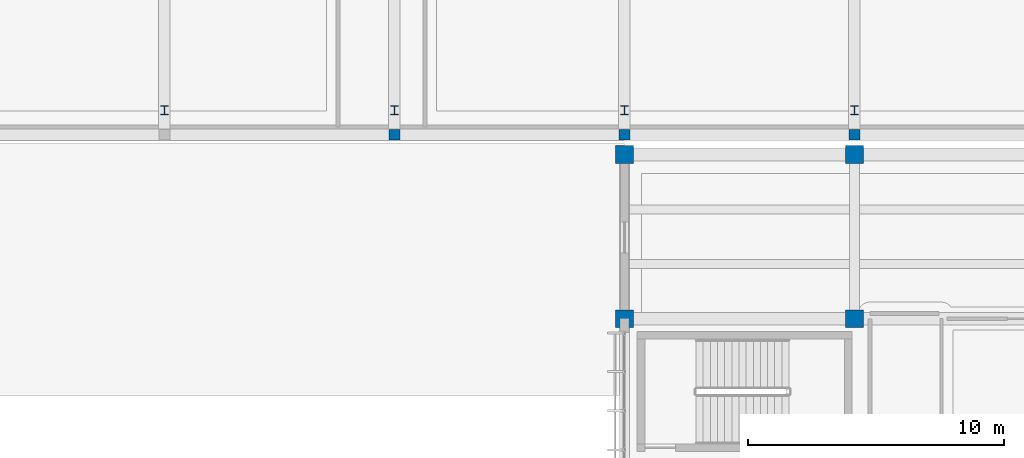
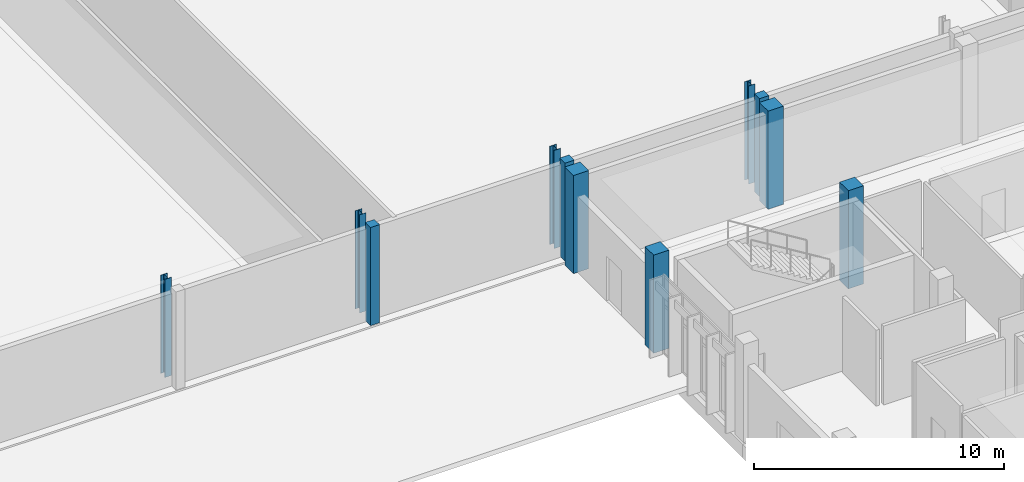
# One storey, part 7 of 151: 11 columns.
"""IFC4 building model written with IfcOpenShell, lengths in metres."""

from ifc_helpers import new_model, si_unit, direction, frame, origin, origin_2d, place, context, subcontext, project, spatial, rectangle, i_section, extrude, material, material_profile, profile_set, type_object, element, save


model = new_model("IFC4")

# Units and contexts
model_context = context("Model", 3, precision=1e-05, world=origin(), true_north=direction((0.0, 1.0)))
body_context = subcontext(model_context, "Body", "Model", "MODEL_VIEW")
ifc_project = project(units=[si_unit("LENGTHUNIT", "METRE"), si_unit("AREAUNIT", "SQUARE_METRE"), si_unit("VOLUMEUNIT", "CUBIC_METRE"), si_unit("PLANEANGLEUNIT", "RADIAN"), si_unit("MASSUNIT", "GRAM", prefix="KILO")], contexts=[model_context])

# Site, building, storey
site_placement = place(None, origin())
site = spatial("IfcSite", under=ifc_project, at=site_placement, CompositionType="ELEMENT")
building_placement = place(site_placement, origin())
building = spatial("IfcBuilding", under=site, at=building_placement, Name="Chiffa Square Polytechnic", CompositionType="ELEMENT")
storey_placement = place(building_placement, origin())
storey = spatial("IfcBuildingStorey", under=building, at=storey_placement, Name="L00", CompositionType="ELEMENT", Elevation=0.0)

# Columns
ifc_material_1 = material(Name="Glulam GL32c", Category="wood")
ifc_material_profile_1 = material_profile(ifc_material_1, rectangle(XDim=0.419921875, YDim=0.419921875, at=origin_2d()), Name="GL32c 420x420")
ifc_profile_set_1 = profile_set([ifc_material_profile_1], Name="Glulam GL32c")
column_type_1 = type_object("IfcColumnType", Name="COL-GL-420", PredefinedType="COLUMN", material=ifc_profile_set_1)
for number, where, z_axis, x_axis, name in (
    (1, (139.199951171875, 58.199951171875, 0.0), (0.0, 0.0, 1.0), (1.0, 0.0, 0.0), "Column C-V2-L00-1392-0582"),
    (2, (148.199951171875, 58.199951171875, 0.0), (0.0, 0.0, 1.0), (1.0, 0.0, 0.0), "Column C-V2-L00-1482-0582"),
    (3, (157.199951171875, 58.199951171875, 0.0), (0.0, 0.0, 1.0), (1.0, 0.0, 0.0), "Column C-V2-L00-1572-0582"),
):
    element("IfcColumn", number, at=place(storey_placement, frame(where, z_axis=z_axis, x_axis=x_axis)), inside=storey, type_object=column_type_1, Name=name, PredefinedType="COLUMN", context=body_context, shape_type="SweptSolid", body=[
        extrude(rectangle(XDim=0.419921875, YDim=0.419921875, at=origin_2d()), origin(), (0.0, 0.0, 1.0), 4.800048828125),
    ])
ifc_material_2 = material(Name="Concrete C40/50", Category="concrete")
ifc_material_profile_2 = material_profile(ifc_material_2, rectangle(XDim=0.699951171875, YDim=0.699951171875, at=origin_2d()), Name="RC 700x700")
ifc_profile_set_2 = profile_set([ifc_material_profile_2], Name="Concrete C40/50")
column_type_2 = type_object("IfcColumnType", Name="COL-RC-700", PredefinedType="COLUMN", material=ifc_profile_set_2)
for number, where, z_axis, x_axis, name in (
    (4, (148.199951171875, 51.0, 0.0), (0.0, 0.0, 1.0), (1.0, 0.0, 0.0), "Column C-V1-L00-1482-0510"),
    (5, (148.199951171875, 57.419921875, 0.0), (0.0, 0.0, 1.0), (1.0, 0.0, 0.0), "Column C-V1-L00-1482-0574"),
    (6, (157.199951171875, 51.0, 0.0), (0.0, 0.0, 1.0), (1.0, 0.0, 0.0), "Column C-V1-L00-1572-0510"),
    (7, (157.199951171875, 57.419921875, 0.0), (0.0, 0.0, 1.0), (1.0, 0.0, 0.0), "Column C-V1-L00-1572-0574"),
):
    element("IfcColumn", number, at=place(storey_placement, frame(where, z_axis=z_axis, x_axis=x_axis)), inside=storey, type_object=column_type_2, Name=name, PredefinedType="COLUMN", context=body_context, shape_type="SweptSolid", body=[
        extrude(rectangle(XDim=0.699951171875, YDim=0.699951171875, at=origin_2d()), origin(), (0.0, 0.0, 1.0), 4.800048828125),
    ])
ifc_material_3 = material(Name="Steel S355", Category="steel")
ifc_material_profile_3 = material_profile(ifc_material_3, i_section(OverallWidth=0.300048828125, OverallDepth=0.35009765625, WebThickness=0.010009765625, FlangeThickness=0.017578125, FilletRadius=0.027099609375, at=origin_2d()), Name="HEA 360")
ifc_profile_set_3 = profile_set([ifc_material_profile_3], Name="Steel S355")
column_type_3 = type_object("IfcColumnType", Name="COL-STL-HEA360", PredefinedType="COLUMN", material=ifc_profile_set_3)
for number, where, z_axis, x_axis, name in (
    (8, (130.199951171875, 59.14990234375, 0.0), (0.0, 0.0, 1.0), (1.0, 0.0, 0.0), "Crane stanchion column C-V2-CRN-L00-130-S"),
    (9, (139.199951171875, 59.14990234375, 0.0), (0.0, 0.0, 1.0), (1.0, 0.0, 0.0), "Crane stanchion column C-V2-CRN-L00-139-S"),
    (10, (148.199951171875, 59.14990234375, 0.0), (0.0, 0.0, 1.0), (1.0, 0.0, 0.0), "Crane stanchion column C-V2-CRN-L00-148-S"),
    (11, (157.199951171875, 59.14990234375, 0.0), (0.0, 0.0, 1.0), (1.0, 0.0, 0.0), "Crane stanchion column C-V2-CRN-L00-157-S"),
):
    element("IfcColumn", number, at=place(storey_placement, frame(where, z_axis=z_axis, x_axis=x_axis)), inside=storey, type_object=column_type_3, Name=name, PredefinedType="COLUMN", context=body_context, shape_type="SweptSolid", body=[
        extrude(i_section(OverallWidth=0.300048828125, OverallDepth=0.35009765625, WebThickness=0.010009765625, FlangeThickness=0.017578125, FilletRadius=0.027099609375, at=origin_2d()), origin(), (0.0, 0.0, 1.0), 4.800048828125),
    ])

save(model, "model.ifc")
